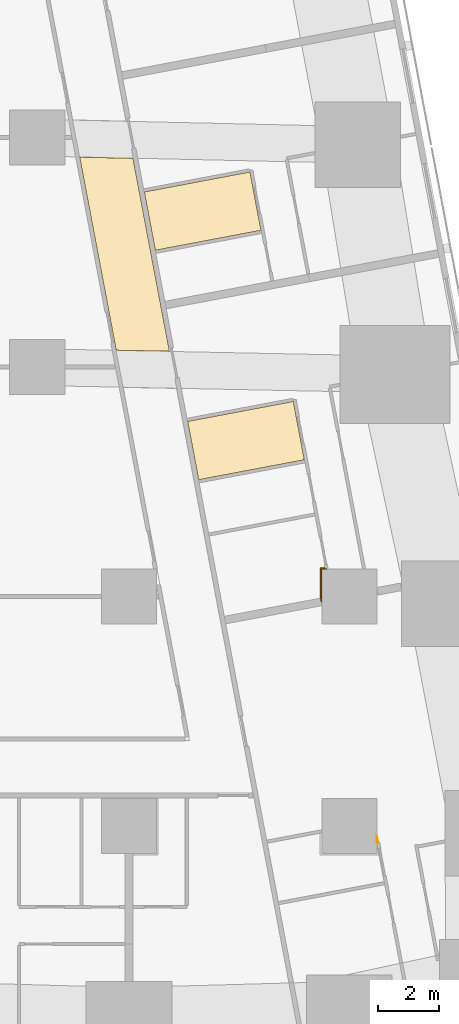
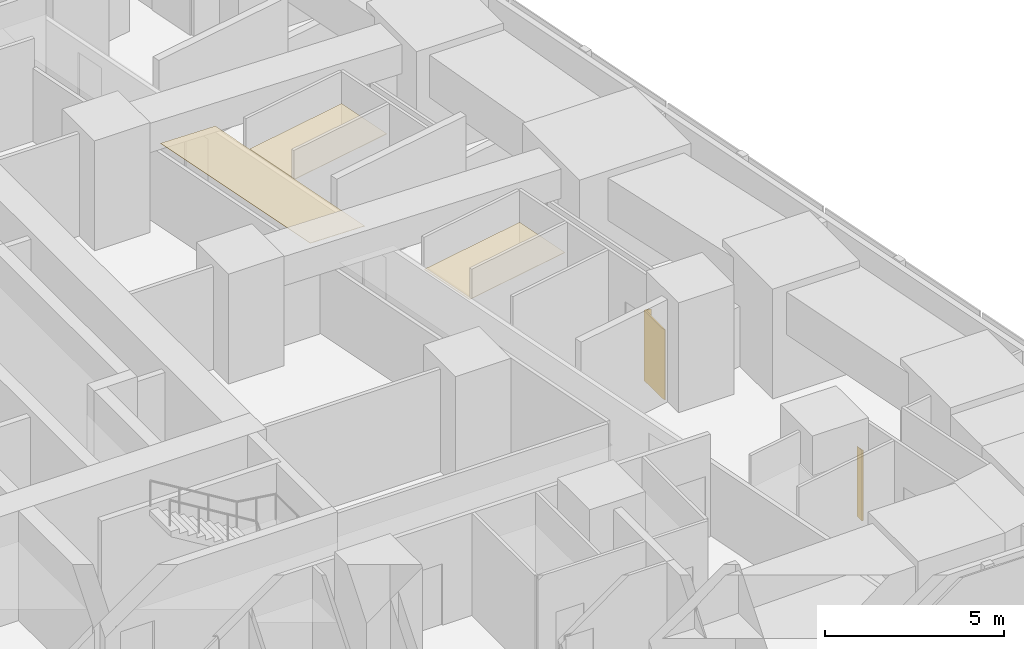
# One storey, part 14 of 15: 5 coverings.
"""IFC4 building model written with IfcOpenShell, lengths in metres."""

from ifc_helpers import new_model, si_unit, direction, frame, origin, place, context, subcontext, project, spatial, polyline, outline, extrude, material, layer, layer_set, type_object, element, save


model = new_model("IFC4")

# Units and contexts
model_context = context("Model", 3, precision=1e-05, world=origin(), true_north=direction((0.0, 1.0)))
body_context = subcontext(model_context, "Body", "Model", "MODEL_VIEW")
ifc_project = project(units=[si_unit("LENGTHUNIT", "METRE"), si_unit("AREAUNIT", "SQUARE_METRE"), si_unit("VOLUMEUNIT", "CUBIC_METRE"), si_unit("PLANEANGLEUNIT", "RADIAN"), si_unit("MASSUNIT", "GRAM", prefix="KILO")], contexts=[model_context])

# Site, building, storey
site_placement = place(None, origin())
site = spatial("IfcSite", under=ifc_project, at=site_placement, CompositionType="ELEMENT")
building_placement = place(site_placement, origin())
building = spatial("IfcBuilding", under=site, at=building_placement, Name="Sheger Commons Tower", CompositionType="ELEMENT")
storey_placement = place(building_placement, frame((0.0, 0.0, 46.25)))
storey = spatial("IfcBuildingStorey", under=building, at=storey_placement, Name="L11", CompositionType="ELEMENT", Elevation=46.25)

# Coverings
ifc_material_1 = material(Name="Moisture-resistant gypsum plasterboard 15 mm on a suspended galvanised steel grid", Category="steel")
ifc_layer_1 = layer(ifc_material_1, 0.014892578125)
ifc_layer_set_1 = layer_set([ifc_layer_1], Name="MOISTURE-RESISTANT CEILING 15")
covering_type_1 = type_object("IfcCoveringType", Name="MOISTURE-RESISTANT CEILING 15", PredefinedType="CEILING", material=ifc_layer_set_1)
covering_1_placement = place(storey_placement, frame((0.0, 0.0, 2.39990234375)))
element("IfcCovering", 1, at=covering_1_placement, inside=storey, type_object=covering_type_1, Name="L11-11.B1 ceiling", PredefinedType="CEILING", context=body_context, shape_type="SweptSolid", body=[
    extrude(outline(polyline([(36.860107421875, 26.319091796875), (40.31298828125, 26.970947265625), (39.952880859375, 28.8779296875), (36.5, 28.22509765625), (36.860107421875, 26.319091796875)])), origin(), (0.0, 0.0, 1.0), 0.01513671875),
])
covering_2_placement = place(storey_placement, frame((0.0, 0.0, 2.39990234375)))
element("IfcCovering", 2, at=covering_2_placement, inside=storey, type_object=covering_type_1, Name="L11-12.B1 ceiling", PredefinedType="CEILING", context=body_context, shape_type="SweptSolid", body=[
    extrude(outline(polyline([(38.277099609375, 18.819091796875), (41.72998046875, 19.470947265625), (41.3701171875, 21.3779296875), (37.9169921875, 20.72607421875), (38.277099609375, 18.819091796875)])), origin(), (0.0, 0.0, 1.0), 0.01513671875),
])
ifc_material_2 = material(Name="Gypsum plasterboard 15 mm on a suspended steel grid", Category="steel")
ifc_layer_2 = layer(ifc_material_2, 0.014892578125)
ifc_layer_set_2 = layer_set([ifc_layer_2], Name="SUSPENDED CEILING 15")
covering_type_2 = type_object("IfcCoveringType", Name="SUSPENDED CEILING 15", PredefinedType="CEILING", material=ifc_layer_set_2)
covering_3_placement = place(storey_placement, frame((0.0, 0.0, 2.699951171875)))
element("IfcCovering", 3, at=covering_3_placement, inside=storey, type_object=covering_type_2, Name="L11-CO ceiling", PredefinedType="CEILING", context=body_context, shape_type="SweptSolid", body=[
    extrude(outline(polyline([(37.321044921875, 23.01806640625), (36.1298828125, 29.323974609375), (34.388916015625, 29.363037109375), (35.5810546875, 23.052978515625), (37.321044921875, 23.01806640625)])), origin(), (0.0, 0.0, 1.0), 0.01513671875),
])
ifc_material_3 = material(Name="Moisture-resistant gypsum board 12.5 mm on 25 mm treated timber battens, tanked and tiled", Category="wood")
ifc_layer_3 = layer(ifc_material_3, 0.050048828125)
ifc_layer_set_3 = layer_set([ifc_layer_3], Name="WET-ROOM COLUMN LINING")
covering_type_3 = type_object("IfcCoveringType", Name="WET-ROOM COLUMN LINING", PredefinedType="CLADDING", material=ifc_layer_set_3)
covering_4_placement = place(storey_placement, origin())
element("IfcCovering", 4, at=covering_4_placement, inside=storey, type_object=covering_type_3, Name="Bathroom column lining C8 L11", PredefinedType="CLADDING", context=body_context, shape_type="SweptSolid", body=[
    extrude(outline(polyline([(44.10009765625, 7.221923828125), (44.14990234375, 6.9599609375), (44.10009765625, 6.950927734375), (44.10009765625, 7.221923828125)])), origin(), (0.0, 0.0, 1.0), 2.39990234375),
])
covering_5_placement = place(storey_placement, origin())
element("IfcCovering", 5, at=covering_5_placement, inside=storey, type_object=covering_type_3, Name="Store and laundry column lining C8 L11", PredefinedType="CLADDING", context=body_context, shape_type="SweptSolid", body=[
    extrude(outline(polyline([(42.40087890625, 15.949951171875), (42.409912109375, 15.90087890625), (42.458984375, 15.909912109375), (42.4609375, 15.89990234375), (42.300048828125, 15.89990234375), (42.300048828125, 14.830078125), (42.27587890625, 14.824951171875), (42.2529296875, 14.947998046875), (42.25, 14.947021484375), (42.25, 15.949951171875), (42.40087890625, 15.949951171875)])), origin(), (0.0, 0.0, 1.0), 2.39990234375),
])

save(model, "model.ifc")
